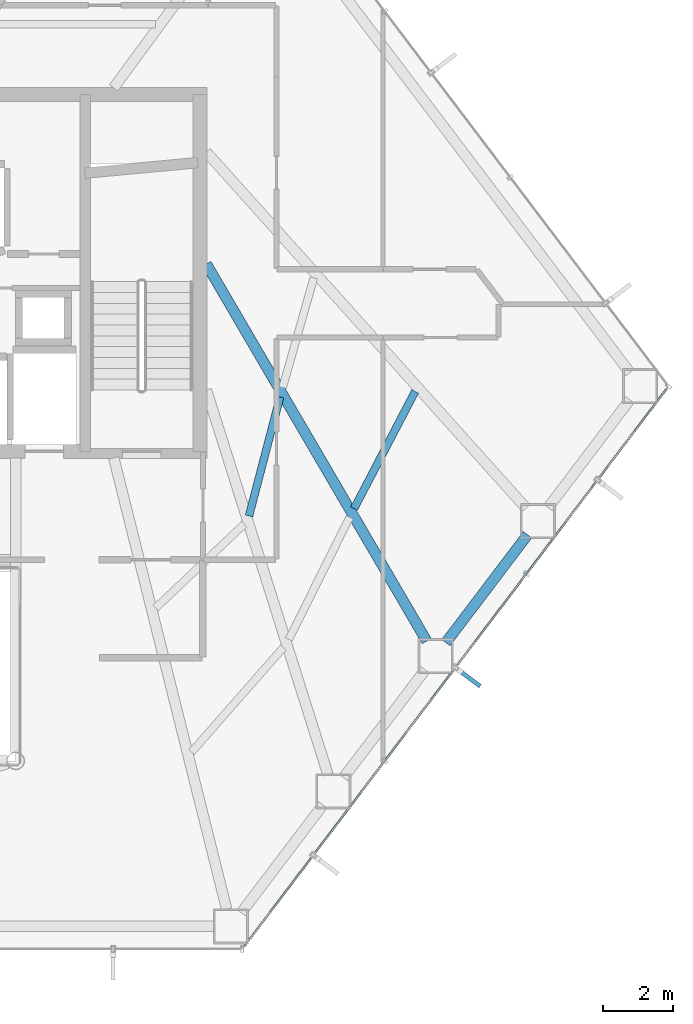
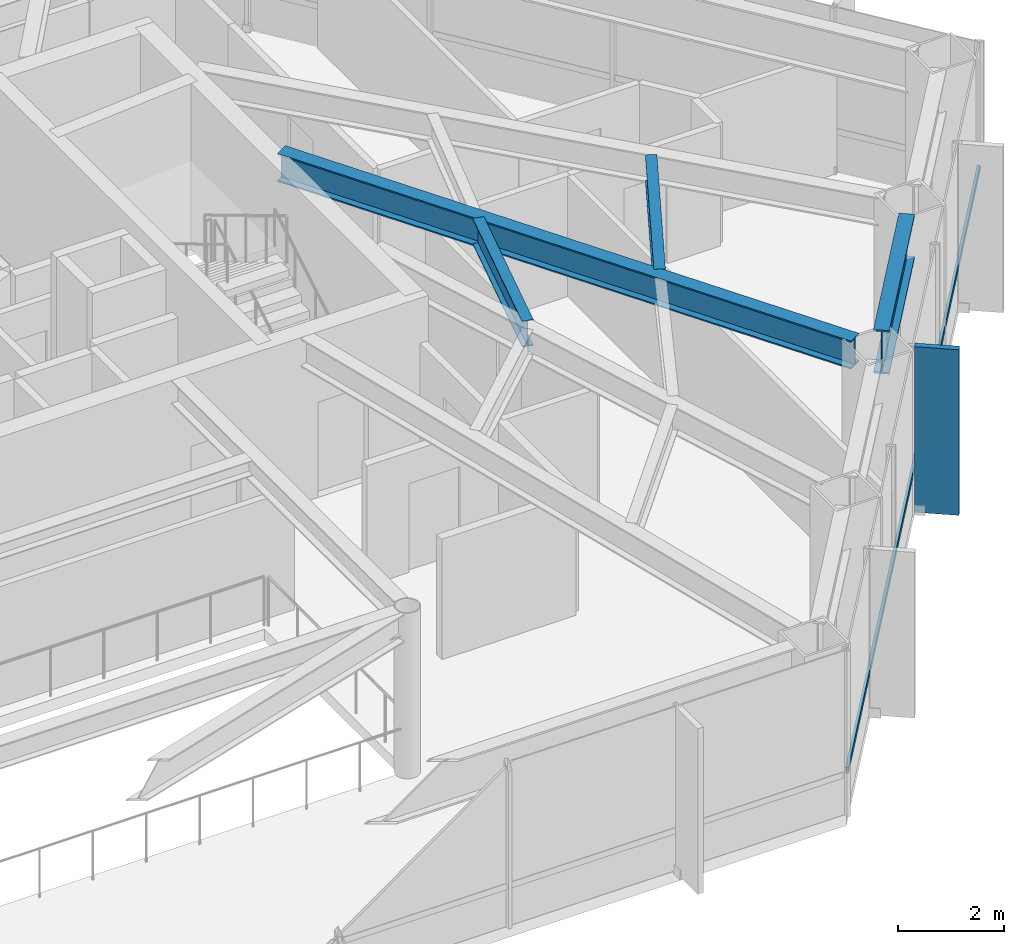
# One storey, part 17 of 25: 4 beams, 2 members, 1 element without a shape of its own.
"""IFC4 building model written with IfcOpenShell, lengths in metres."""

from ifc_helpers import new_model, si_unit, direction, frame, origin, origin_2d, place, context, subcontext, project, spatial, rectangle, hollow_rectangle, i_section, extrude, material, layer, layer_set, material_profile, profile_set, type_object, element, aggregate, save


model = new_model("IFC4")

# Units and contexts
model_context = context("Model", 3, precision=1e-05, world=origin(), true_north=direction((0.0, 1.0)))
body_context = subcontext(model_context, "Body", "Model", "MODEL_VIEW")
ifc_project = project(units=[si_unit("LENGTHUNIT", "METRE"), si_unit("AREAUNIT", "SQUARE_METRE"), si_unit("VOLUMEUNIT", "CUBIC_METRE"), si_unit("PLANEANGLEUNIT", "RADIAN"), si_unit("MASSUNIT", "GRAM", prefix="KILO")], contexts=[model_context])

# Site, building, storey
site_placement = place(None, origin())
site = spatial("IfcSite", under=ifc_project, at=site_placement, CompositionType="ELEMENT")
building_placement = place(site_placement, origin())
building = spatial("IfcBuilding", under=site, at=building_placement, Name="Zarrinselat Tower", CompositionType="ELEMENT")
storey_placement = place(building_placement, frame((0.0, 0.0, 39.780029296875)))
storey = spatial("IfcBuildingStorey", under=building, at=storey_placement, Name="L09", CompositionType="ELEMENT", Elevation=39.780029296875)

# Beams
ifc_material_1 = material(Name="Steel S355J2", Category="steel")
ifc_material_profile_1 = material_profile(ifc_material_1, i_section(OverallWidth=0.300048828125, OverallDepth=0.64990234375, WebThickness=0.01611328125, FlangeThickness=0.031005859375, at=origin_2d()), Name="HEB 650")
ifc_profile_set_1 = profile_set([ifc_material_profile_1], Name="Steel S355J2")
beam_type_1 = type_object("IfcBeamType", Name="BM-HEB650", PredefinedType="BEAM", material=ifc_profile_set_1)
beam_1_placement = place(storey_placement, frame((48.449951171875, 38.60009765625, 3.494873046875), z_axis=(0.504515558764, -0.86340260074, 0.0), x_axis=(0.86340260074, 0.504515558764, 0.0)))
element("IfcBeam", 1, at=beam_1_placement, inside=storey, type_object=beam_type_1, Name="L09 Radial Primary Girder RG13", PredefinedType="BEAM", context=body_context, shape_type="SweptSolid", body=[
    extrude(i_section(OverallWidth=0.300048828125, OverallDepth=0.64990234375, WebThickness=0.01611328125, FlangeThickness=0.031005859375, at=origin_2d()), origin(), (0.0, 0.0, 1.0), 12.4794921875),
])
ifc_material_2 = material(Name="Steel S460M", Category="steel")
ifc_material_profile_2 = material_profile(ifc_material_2, i_section(OverallWidth=0.302001953125, OverallDepth=1.008056640625, WebThickness=0.02099609375, FlangeThickness=0.0400390625, at=origin_2d()), Name="HEM 1000")
ifc_profile_set_2 = profile_set([ifc_material_profile_2], Name="Steel S460M")
beam_type_2 = type_object("IfcBeamType", Name="BM-HEM1000", PredefinedType="BEAM", material=ifc_profile_set_2)
beam_2_placement = place(storey_placement, frame((55.2939453125, 27.781005859375, 3.31591796875), z_axis=(0.603852824523, 0.79709583258, 0.0), x_axis=(-0.79709583258, 0.603852824523, 0.0)))
element("IfcBeam", 2, at=beam_2_placement, inside=storey, type_object=beam_type_2, Name="L09 Perimeter Spandrel Girder SP13", PredefinedType="BEAM", context=body_context, shape_type="SweptSolid", body=[
    extrude(i_section(OverallWidth=0.302001953125, OverallDepth=1.008056640625, WebThickness=0.02099609375, FlangeThickness=0.0400390625, at=origin_2d()), origin(), (0.0, 0.0, 1.0), 3.865966796875),
])
ifc_material_3 = material(Name="Steel S355J2", Category="steel")
ifc_material_profile_3 = material_profile(ifc_material_3, i_section(OverallWidth=0.219970703125, OverallDepth=0.60009765625, WebThickness=0.011962890625, FlangeThickness=0.01904296875, at=origin_2d()), Name="IPE 600")
ifc_profile_set_3 = profile_set([ifc_material_profile_3], Name="Steel S355J2")
beam_type_3 = type_object("IfcBeamType", Name="BM-IPE600", PredefinedType="JOIST", material=ifc_profile_set_3)
beam_3_placement = place(storey_placement, frame((49.66650390625, 31.399169921875, 3.52001953125), z_axis=(0.252814770842, 0.967514698412, 0.0), x_axis=(-0.967514698412, 0.252814770842, 0.0)))
element("IfcBeam", 3, at=beam_3_placement, inside=storey, type_object=beam_type_3, Name="L09 Composite Floor Joist 4-2", PredefinedType="JOIST", context=body_context, shape_type="SweptSolid", body=[
    extrude(i_section(OverallWidth=0.219970703125, OverallDepth=0.60009765625, WebThickness=0.011962890625, FlangeThickness=0.01904296875, at=origin_2d()), origin(), (0.0, 0.0, 1.0), 3.51611328125),
])
beam_4_placement = place(storey_placement, frame((52.670166015625, 31.61279296875, 3.52001953125), z_axis=(0.46245993142, 0.886640181715, 0.0), x_axis=(-0.886640181715, 0.46245993142, 0.0)))
element("IfcBeam", 4, at=beam_4_placement, inside=storey, type_object=beam_type_3, Name="L09 Composite Floor Joist 5-1", PredefinedType="JOIST", context=body_context, shape_type="SweptSolid", body=[
    extrude(i_section(OverallWidth=0.219970703125, OverallDepth=0.60009765625, WebThickness=0.011962890625, FlangeThickness=0.01904296875, at=origin_2d()), origin(), (0.0, 0.0, 1.0), 3.775634765625),
])

# Curtain wall, members
ifc_material_4 = material(Name="Extruded Aluminium Alloy EN AW-6063 T6", Category="aluminium")
ifc_layer = layer(ifc_material_4, 0.18505859375)
ifc_layer_set = layer_set([ifc_layer], Name="Extruded Aluminium Alloy EN AW-6063 T6")
curtain_wall_type = type_object("IfcCurtainWallType", Name="CWS-OFF", PredefinedType="NOTDEFINED", material=ifc_layer_set)
curtain_wall_placement = place(storey_placement, origin())
curtain_wall = element("IfcCurtainWall", 5, at=curtain_wall_placement, inside=storey, type_object=curtain_wall_type, Name="L09 Unitised Curtain Wall CW-L09-E05", PredefinedType="NOTDEFINED")
ifc_material_5 = material(Name="Extruded Aluminium Alloy EN AW-6063 T6", Category="aluminium")
ifc_material_profile_4 = material_profile(ifc_material_5, hollow_rectangle(XDim=0.06005859375, YDim=0.139892578125, WallThickness=0.00390625, at=origin_2d()), Name="RHS 140x60x4")
ifc_profile_set_4 = profile_set([ifc_material_profile_4], Name="Extruded Aluminium Alloy EN AW-6063 T6")
member_type_1 = type_object("IfcMemberType", Name="MEM-CW-TRN", PredefinedType="USERDEFINED", material=ifc_profile_set_4)
member_1_placement = place(storey_placement, frame((49.52880859375, 19.094482421875, 0.949951171875), z_axis=(0.603863327484, 0.797087875783, 0.0), x_axis=(-0.797087875783, 0.603863327484, 0.0)))
member_1 = element("IfcMember", 6, at=member_1_placement, type_object=member_type_1, Name="CW-L09-E05 Transom 1", ObjectType="TRANSOM", PredefinedType="USERDEFINED", context=body_context, shape_type="SweptSolid", body=[
    extrude(hollow_rectangle(XDim=0.06005859375, YDim=0.139892578125, WallThickness=0.00390625, at=origin_2d()), origin(), (0.0, 0.0, 1.0), 20.00390625),
])
ifc_material_6 = material(Name="Honed Cream Travertine Stone", Category="masonry")
ifc_material_profile_5 = material_profile(ifc_material_6, rectangle(XDim=0.1201171875, YDim=0.85009765625, at=origin_2d()), Name="FIN 850x120")
ifc_profile_set_5 = profile_set([ifc_material_profile_5], Name="Honed Cream Travertine Stone")
member_type_2 = type_object("IfcMemberType", Name="MEM-STONE-FIN", PredefinedType="USERDEFINED", material=ifc_profile_set_5)
member_2_placement = place(storey_placement, frame((55.935302734375, 26.7890625, 0.0), z_axis=(0.0, 0.0, 1.0), x_axis=(-0.603859118859, -0.797091064164, 0.0)))
member_2 = element("IfcMember", 7, at=member_2_placement, type_object=member_type_2, Name="L09 Stone Shading Fin CW-L09-E05-03", ObjectType="FIN", PredefinedType="USERDEFINED", context=body_context, shape_type="SweptSolid", body=[
    extrude(rectangle(XDim=0.1201171875, YDim=0.85009765625, at=origin_2d()), origin(), (0.0, 0.0, 1.0), 3.820068359375),
])
aggregate(curtain_wall, [member_2, member_1])

save(model, "model.ifc")
